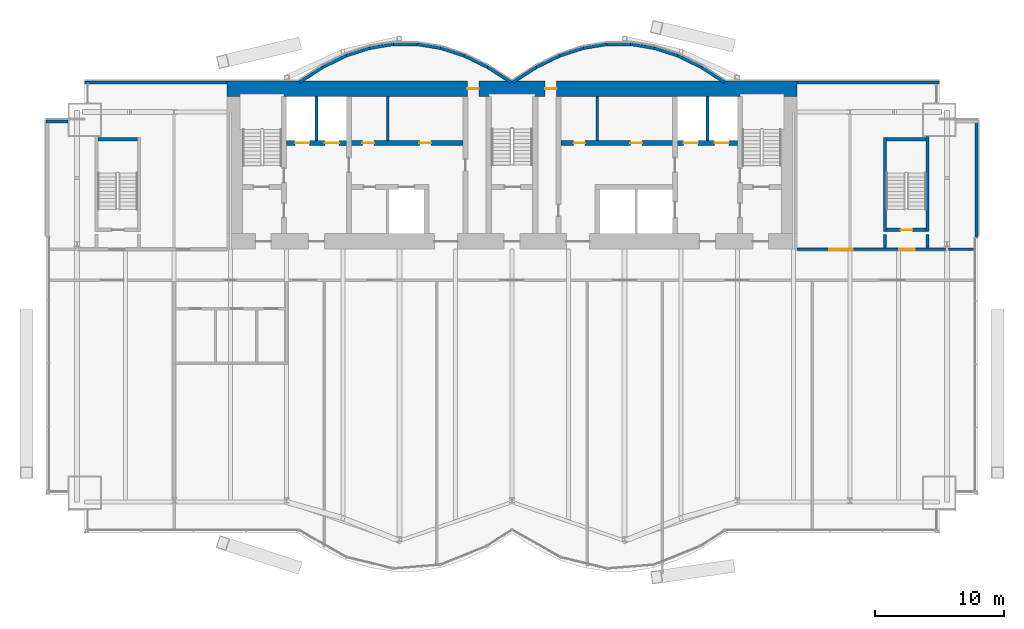
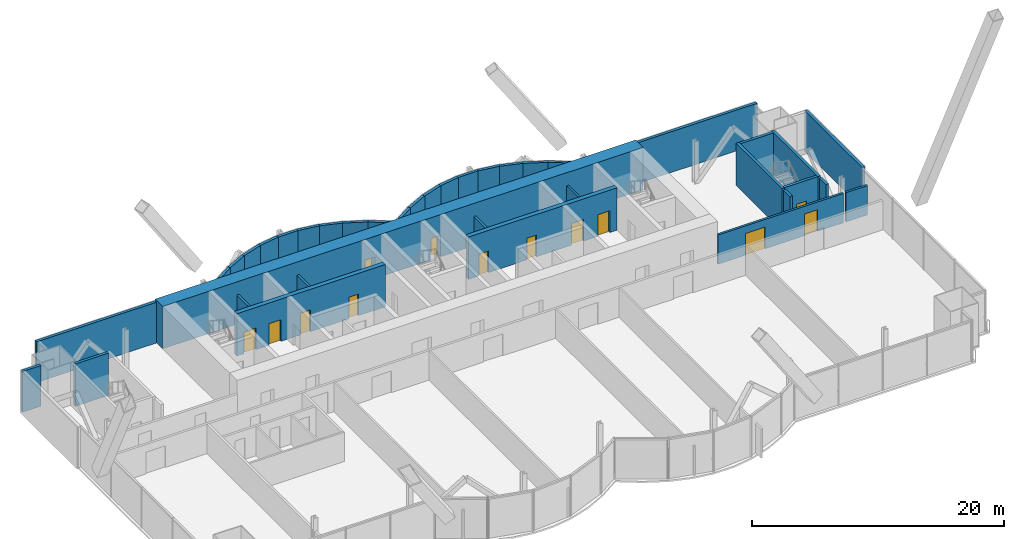
# One storey, part 20 of 24: 38 walls, 13 doors, 13 openings.
"""IFC4 building model written with IfcOpenShell, lengths in metres."""

from ifc_helpers import new_model, si_unit, direction, frame, frame_2d, origin, place, context, subcontext, project, spatial, rectangle, extrude, material, layer, layer_set, layer_usage, type_object, element, fill, save


model = new_model("IFC4")

# Units and contexts
model_context = context("Model", 3, precision=1e-05, world=origin(), true_north=direction((0.0, 1.0)))
body_context = subcontext(model_context, "Body", "Model", "MODEL_VIEW")
ifc_project = project(units=[si_unit("LENGTHUNIT", "METRE"), si_unit("AREAUNIT", "SQUARE_METRE"), si_unit("VOLUMEUNIT", "CUBIC_METRE"), si_unit("PLANEANGLEUNIT", "RADIAN"), si_unit("MASSUNIT", "GRAM", prefix="KILO")], contexts=[model_context])

# Site, building, storey
site_placement = place(None, origin())
site = spatial("IfcSite", under=ifc_project, at=site_placement, CompositionType="ELEMENT")
building_placement = place(site_placement, origin())
building = spatial("IfcBuilding", under=site, at=building_placement, Name="Bicima Exchange Tower", CompositionType="ELEMENT")
storey_placement = place(building_placement, frame((0.0, 0.0, 160.89990234375)))
storey = spatial("IfcBuildingStorey", under=building, at=storey_placement, Name="L35", CompositionType="ELEMENT", Elevation=160.89990234375)

# Walls
ifc_material_1 = material(Name="Gypsum board partition")
ifc_layer_1 = layer(ifc_material_1, 0.199951171875)
ifc_layer_set_1 = layer_set([ifc_layer_1], Name="Gypsum board partition")
wall_type_1 = type_object("IfcWallType", Name="Fire-rated gypsum partition 200 EI120", PredefinedType="PARTITIONING", material=ifc_layer_set_1)
for number, where, z_axis, x_axis, name in (
    (1, (-15.10009765625, -4.60009765625, 0.0), (0.0, 0.0, 1.0), (0.0, 1.0, 0.0), "partition wall 9"),
    (2, (15.10009765625, -4.60009765625, 0.0), (0.0, 0.0, 1.0), (0.0, 1.0, 0.0), "partition wall 22"),
):
    element("IfcWall", number, at=place(storey_placement, frame(where, z_axis=z_axis, x_axis=x_axis)), inside=storey, type_object=wall_type_1, Name=name, PredefinedType="PARTITIONING", context=body_context, shape_type="SweptSolid", body=[
        extrude(rectangle(XDim=3.400146484375, YDim=0.199951171875, at=frame_2d((1.7001953125, 0.0))), origin(), (0.0, 0.0, 1.0), 2.840576171875),
    ])

# Wall, openings, doors
ifc_layer_2 = layer(ifc_material_1, 0.199951171875)
ifc_layer_set_2 = layer_set([ifc_layer_2], Name="Gypsum board partition")
wall_type_2 = type_object("IfcWallType", Name="Fire-rated gypsum partition 200 EI60", PredefinedType="PARTITIONING", material=ifc_layer_set_2)
wall_1_placement = place(storey_placement, frame((22.0, -13.0, 0.0), z_axis=(0.0, 0.0, 1.0), x_axis=(1.0, 0.0, 0.0)))
wall_1 = element("IfcWall", 3, at=wall_1_placement, inside=storey, type_object=wall_type_2, Name="partition wall 6", PredefinedType="PARTITIONING", context=body_context, shape_type="SweptSolid", body=[
    extrude(rectangle(XDim=11.47998046875, YDim=0.199951171875, at=frame_2d((5.739990234375, 0.0))), origin(), (0.0, 0.0, 1.0), 2.840576171875),
])
opening_1_placement = place(wall_1_placement, frame((7.89990234375, 0.0, 0.0)))
opening_1 = element("IfcOpeningElement", 4, at=opening_1_placement, cuts=wall_1, Name="Opening L35-003", PredefinedType="OPENING", context=body_context, shape_type="SweptSolid", body=[
    extrude(rectangle(XDim=1.199951171875, YDim=2.10009765625, at=frame_2d((0.60009765625, 1.050048828125))), frame((0.0, 0.11181640625, 0.0), z_axis=(0.0, -1.0, 0.0), x_axis=(1.0, 0.0, 0.0)), (0.0, 0.0, 1.0), 0.223876953125),
])
opening_2_placement = place(wall_1_placement, frame((2.5, 0.0, 0.0)))
opening_2 = element("IfcOpeningElement", 5, at=opening_2_placement, cuts=wall_1, Name="Opening L35-006", PredefinedType="OPENING", context=body_context, shape_type="SweptSolid", body=[
    extrude(rectangle(XDim=1.800048828125, YDim=2.10009765625, at=frame_2d((0.89990234375, 1.050048828125))), frame((0.0, 0.11181640625, 0.0), z_axis=(0.0, -1.0, 0.0), x_axis=(1.0, 0.0, 0.0)), (0.0, 0.0, 1.0), 0.223876953125),
])
ifc_material_2 = material(Name="Steel fire door leaf", Category="steel")
door_type_1 = type_object("IfcDoorType", Name="Door 1200 swing FD30S", OperationType="SINGLE_SWING_LEFT", PredefinedType="DOOR", material=ifc_material_2)
door_1_placement = place(opening_1_placement, origin())
door_1 = element("IfcDoor", 6, at=door_1_placement, inside=storey, type_object=door_type_1, Name="Door", OperationType="SINGLE_SWING_RIGHT", OverallHeight=2.10009765625, OverallWidth=1.199951171875, PredefinedType="DOOR", context=body_context, shape_type="SweptSolid", body=[
    extrude(rectangle(XDim=1.199951171875, YDim=2.10009765625, at=frame_2d((0.60009765625, 1.050048828125))), frame((0.0, 0.02490234375, 0.0), z_axis=(0.0, -1.0, 0.0), x_axis=(1.0, 0.0, 0.0)), (0.0, 0.0, 1.0), 0.050048828125),
])
fill(opening_1, door_1)
door_type_2 = type_object("IfcDoorType", Name="Door 1800 double swing FD30S", OperationType="DOUBLE_DOOR_SINGLE_SWING", PredefinedType="DOOR", material=ifc_material_2)
door_2_placement = place(opening_2_placement, origin())
door_2 = element("IfcDoor", 7, at=door_2_placement, inside=storey, type_object=door_type_2, Name="Door", OperationType="SINGLE_SWING_LEFT", OverallHeight=2.10009765625, OverallWidth=1.800048828125, PredefinedType="DOOR", context=body_context, shape_type="SweptSolid", body=[
    extrude(rectangle(XDim=1.800048828125, YDim=2.10009765625, at=frame_2d((0.89990234375, 1.050048828125))), frame((0.0, 0.02490234375, 0.0), z_axis=(0.0, -1.0, 0.0), x_axis=(1.0, 0.0, 0.0)), (0.0, 0.0, 1.0), 0.050048828125),
])
fill(opening_2, door_2)

# Walls
wall_2_placement = place(storey_placement, frame((33.719970703125, -13.0, 0.0), z_axis=(0.0, 0.0, 1.0), x_axis=(1.0, 0.0, 0.0)))
element("IfcWall", 8, at=wall_2_placement, inside=storey, type_object=wall_type_2, Name="partition wall 7", PredefinedType="PARTITIONING", context=body_context, shape_type="SweptSolid", body=[
    extrude(rectangle(XDim=1.9599609375, YDim=0.199951171875, at=frame_2d((0.97998046875, 0.0))), origin(), (0.0, 0.0, 1.0), 2.840576171875),
])
for number, where, z_axis, x_axis, name in (
    (9, (-9.60009765625, -4.60009765625, 0.0), (0.0, 0.0, 1.0), (0.0, 1.0, 0.0), "partition wall 12"),
    (10, (6.60009765625, -4.60009765625, 0.0), (0.0, 0.0, 1.0), (0.0, 1.0, 0.0), "partition wall 19"),
):
    element("IfcWall", number, at=place(storey_placement, frame(where, z_axis=z_axis, x_axis=x_axis)), inside=storey, type_object=wall_type_2, Name=name, PredefinedType="PARTITIONING", context=body_context, shape_type="SweptSolid", body=[
        extrude(rectangle(XDim=3.400146484375, YDim=0.199951171875, at=frame_2d((1.7001953125, 0.0))), origin(), (0.0, 0.0, 1.0), 2.840576171875),
    ])

# Wall, openings, doors
ifc_material_3 = material(Name="Concrete C50/60", Category="concrete")
ifc_layer_3 = layer(ifc_material_3, 1.199951171875)
ifc_layer_set_3 = layer_set([ifc_layer_3], Name="Concrete C50/60")
wall_type_3 = type_object("IfcWallType", Name="RC core wall 1200 C50/60", PredefinedType="SHEAR", material=ifc_layer_set_3)
wall_3_placement = place(storey_placement, frame((-22.0, -0.60009765625, 0.0), z_axis=(0.0, 0.0, 1.0), x_axis=(1.0, 0.0, 0.0)))
wall_3 = element("IfcWall", 11, at=wall_3_placement, inside=storey, type_object=wall_type_3, Name="Core wall north", PredefinedType="SHEAR", context=body_context, shape_type="SweptSolid", body=[
    extrude(rectangle(XDim=44.0, YDim=1.199951171875, at=frame_2d((22.0, 0.0))), origin(), (0.0, 0.0, 1.0), 4.10009765625),
])
opening_3_placement = place(wall_3_placement, frame((18.550048828125, 0.0, 0.0)))
opening_3 = element("IfcOpeningElement", 12, at=opening_3_placement, cuts=wall_3, Name="Opening L35-C17", PredefinedType="OPENING", context=body_context, shape_type="SweptSolid", body=[
    extrude(rectangle(XDim=0.89990234375, YDim=2.10009765625, at=frame_2d((0.449951171875, 1.050048828125))), frame((0.0, 0.61181640625, 0.0), z_axis=(0.0, -1.0, 0.0), x_axis=(1.0, 0.0, 0.0)), (0.0, 0.0, 1.0), 1.223876953125),
])
opening_4_placement = place(wall_3_placement, frame((24.550048828125, 0.0, 0.0)))
opening_4 = element("IfcOpeningElement", 13, at=opening_4_placement, cuts=wall_3, Name="Opening L35-C18", PredefinedType="OPENING", context=body_context, shape_type="SweptSolid", body=[
    extrude(rectangle(XDim=0.89990234375, YDim=2.10009765625, at=frame_2d((0.449951171875, 1.050048828125))), frame((0.0, 0.61181640625, 0.0), z_axis=(0.0, -1.0, 0.0), x_axis=(1.0, 0.0, 0.0)), (0.0, 0.0, 1.0), 1.223876953125),
])
door_type_3 = type_object("IfcDoorType", Name="Door 900 swing FD30S", OperationType="SINGLE_SWING_LEFT", PredefinedType="DOOR", material=ifc_material_2)
door_3_placement = place(opening_3_placement, origin())
door_3 = element("IfcDoor", 14, at=door_3_placement, inside=storey, type_object=door_type_3, Name="Core door", OperationType="SINGLE_SWING_LEFT", OverallHeight=2.10009765625, OverallWidth=0.89990234375, PredefinedType="DOOR", context=body_context, shape_type="SweptSolid", body=[
    extrude(rectangle(XDim=0.89990234375, YDim=2.10009765625, at=frame_2d((0.449951171875, 1.050048828125))), frame((0.0, 0.02490234375, 0.0), z_axis=(0.0, -1.0, 0.0), x_axis=(1.0, 0.0, 0.0)), (0.0, 0.0, 1.0), 0.050048828125),
])
fill(opening_3, door_3)
door_4_placement = place(opening_4_placement, origin())
door_4 = element("IfcDoor", 15, at=door_4_placement, inside=storey, type_object=door_type_3, Name="Core door", OperationType="SINGLE_SWING_LEFT", OverallHeight=2.10009765625, OverallWidth=0.89990234375, PredefinedType="DOOR", context=body_context, shape_type="SweptSolid", body=[
    extrude(rectangle(XDim=0.89990234375, YDim=2.10009765625, at=frame_2d((0.449951171875, 1.050048828125))), frame((0.0, 0.02490234375, 0.0), z_axis=(0.0, -1.0, 0.0), x_axis=(1.0, 0.0, 0.0)), (0.0, 0.0, 1.0), 0.050048828125),
])
fill(opening_4, door_4)

# Walls
ifc_layer_4 = layer(ifc_material_3, 0.25)
ifc_layer_set_4 = layer_set([ifc_layer_4], Name="Concrete C50/60")
wall_type_4 = type_object("IfcWallType", Name="RC core wall 250 C50/60", PredefinedType="SHEAR", material=ifc_layer_set_4)
for number, where, z_axis, x_axis, name in (
    (16, (28.800048828125, -12.89990234375, 0.0), (0.0, 0.0, 1.0), (0.0, 1.0, 0.0), "stair wall 25"),
    (17, (32.10009765625, -12.89990234375, 0.0), (0.0, 0.0, 1.0), (0.0, 1.0, 0.0), "stair wall 26"),
):
    element("IfcWall", number, at=place(storey_placement, frame(where, z_axis=z_axis, x_axis=x_axis)), inside=storey, type_object=wall_type_4, Name=name, PredefinedType="SHEAR", context=body_context, shape_type="SweptSolid", body=[
        extrude(rectangle(XDim=1.0498046875, YDim=0.25, at=frame_2d((0.52490234375, 0.0))), origin(), (0.0, 0.0, 1.0), 4.10009765625),
    ])

# Wall, openings, doors
ifc_layer_5 = layer(ifc_material_3, 0.39990234375)
ifc_layer_set_5 = layer_set([ifc_layer_5], Name="Concrete C50/60")
wall_type_5 = type_object("IfcWallType", Name="RC core wall 400 C50/60", PredefinedType="SHEAR", material=ifc_layer_set_5)
wall_4_placement = place(storey_placement, frame((-17.39990234375, -4.800048828125, 0.0), z_axis=(0.0, 0.0, 1.0), x_axis=(1.0, 0.0, 0.0)))
wall_4 = element("IfcWall", 18, at=wall_4_placement, inside=storey, type_object=wall_type_5, Name="shear wall 6", PredefinedType="SHEAR", context=body_context, shape_type="SweptSolid", body=[
    extrude(rectangle(XDim=13.599853515625, YDim=0.39990234375, at=frame_2d((6.7998046875, 0.0))), origin(), (0.0, 0.0, 1.0), 4.10009765625),
])
opening_5_placement = place(wall_4_placement, frame((0.64990234375, 0.0, 0.0)))
opening_5 = element("IfcOpeningElement", 19, at=opening_5_placement, cuts=wall_4, Name="Opening LD-FF1-L35", PredefinedType="OPENING", context=body_context, shape_type="SweptSolid", body=[
    extrude(rectangle(XDim=1.10009765625, YDim=2.10009765625, at=frame_2d((0.550048828125, 1.050048828125))), frame((0.0, 0.2119140625, 0.0), z_axis=(0.0, -1.0, 0.0), x_axis=(1.0, 0.0, 0.0)), (0.0, 0.0, 1.0), 0.423828125),
])
opening_6_placement = place(wall_4_placement, frame((2.949951171875, 0.0, 0.0)))
opening_6 = element("IfcOpeningElement", 20, at=opening_6_placement, cuts=wall_4, Name="Opening LD-FF3-L35", PredefinedType="OPENING", context=body_context, shape_type="SweptSolid", body=[
    extrude(rectangle(XDim=1.10009765625, YDim=2.10009765625, at=frame_2d((0.550048828125, 1.050048828125))), frame((0.0, 0.2119140625, 0.0), z_axis=(0.0, -1.0, 0.0), x_axis=(1.0, 0.0, 0.0)), (0.0, 0.0, 1.0), 0.423828125),
])
opening_7_placement = place(wall_4_placement, frame((5.85009765625, 0.0, 0.0)))
opening_7 = element("IfcOpeningElement", 21, at=opening_7_placement, cuts=wall_4, Name="Opening L35-C12", PredefinedType="OPENING", context=body_context, shape_type="SweptSolid", body=[
    extrude(rectangle(XDim=0.89990234375, YDim=2.10009765625, at=frame_2d((0.449951171875, 1.050048828125))), frame((0.0, 0.2119140625, 0.0), z_axis=(0.0, -1.0, 0.0), x_axis=(1.0, 0.0, 0.0)), (0.0, 0.0, 1.0), 0.423828125),
])
opening_8_placement = place(wall_4_placement, frame((10.25, 0.0, 0.0)))
opening_8 = element("IfcOpeningElement", 22, at=opening_8_placement, cuts=wall_4, Name="Opening L35-C13", PredefinedType="OPENING", context=body_context, shape_type="SweptSolid", body=[
    extrude(rectangle(XDim=0.89990234375, YDim=2.10009765625, at=frame_2d((0.449951171875, 1.050048828125))), frame((0.0, 0.2119140625, 0.0), z_axis=(0.0, -1.0, 0.0), x_axis=(1.0, 0.0, 0.0)), (0.0, 0.0, 1.0), 0.423828125),
])
door_5_placement = place(opening_7_placement, origin())
door_5 = element("IfcDoor", 23, at=door_5_placement, inside=storey, type_object=door_type_3, Name="Core door", OperationType="SINGLE_SWING_RIGHT", OverallHeight=2.10009765625, OverallWidth=0.89990234375, PredefinedType="DOOR", context=body_context, shape_type="SweptSolid", body=[
    extrude(rectangle(XDim=0.89990234375, YDim=2.10009765625, at=frame_2d((0.449951171875, 1.050048828125))), frame((0.0, 0.02490234375, 0.0), z_axis=(0.0, -1.0, 0.0), x_axis=(1.0, 0.0, 0.0)), (0.0, 0.0, 1.0), 0.050048828125),
])
fill(opening_7, door_5)
door_6_placement = place(opening_8_placement, origin())
door_6 = element("IfcDoor", 24, at=door_6_placement, inside=storey, type_object=door_type_3, Name="Core door", OperationType="SINGLE_SWING_LEFT", OverallHeight=2.10009765625, OverallWidth=0.89990234375, PredefinedType="DOOR", context=body_context, shape_type="SweptSolid", body=[
    extrude(rectangle(XDim=0.89990234375, YDim=2.10009765625, at=frame_2d((0.449951171875, 1.050048828125))), frame((0.0, 0.02490234375, 0.0), z_axis=(0.0, -1.0, 0.0), x_axis=(1.0, 0.0, 0.0)), (0.0, 0.0, 1.0), 0.050048828125),
])
fill(opening_8, door_6)
ifc_material_4 = material(Name="Stainless steel", Category="steel")
door_type_4 = type_object("IfcDoorType", Name="Lift landing door 1100 sliding", OperationType="DOUBLE_DOOR_SLIDING", PredefinedType="DOOR", material=ifc_material_4)
door_7_placement = place(opening_5_placement, origin())
door_7 = element("IfcDoor", 25, at=door_7_placement, inside=storey, type_object=door_type_4, Name="Lift landing door FF1", OperationType="DOUBLE_DOOR_SLIDING", OverallHeight=2.10009765625, OverallWidth=1.10009765625, PredefinedType="DOOR", context=body_context, shape_type="SweptSolid", body=[
    extrude(rectangle(XDim=1.10009765625, YDim=2.10009765625, at=frame_2d((0.550048828125, 1.050048828125))), frame((0.0, 0.02490234375, 0.0), z_axis=(0.0, -1.0, 0.0), x_axis=(1.0, 0.0, 0.0)), (0.0, 0.0, 1.0), 0.050048828125),
])
fill(opening_5, door_7)
door_8_placement = place(opening_6_placement, origin())
door_8 = element("IfcDoor", 26, at=door_8_placement, inside=storey, type_object=door_type_4, Name="Lift landing door FF3", OperationType="DOUBLE_DOOR_SLIDING", OverallHeight=2.10009765625, OverallWidth=1.10009765625, PredefinedType="DOOR", context=body_context, shape_type="SweptSolid", body=[
    extrude(rectangle(XDim=1.10009765625, YDim=2.10009765625, at=frame_2d((0.550048828125, 1.050048828125))), frame((0.0, 0.02490234375, 0.0), z_axis=(0.0, -1.0, 0.0), x_axis=(1.0, 0.0, 0.0)), (0.0, 0.0, 1.0), 0.050048828125),
])
fill(opening_6, door_8)

wall_5_placement = place(storey_placement, frame((3.800048828125, -4.800048828125, 0.0), z_axis=(0.0, 0.0, 1.0), x_axis=(1.0, 0.0, 0.0)))
wall_5 = element("IfcWall", 27, at=wall_5_placement, inside=storey, type_object=wall_type_5, Name="shear wall 7", PredefinedType="SHEAR", context=body_context, shape_type="SweptSolid", body=[
    extrude(rectangle(XDim=13.599853515625, YDim=0.39990234375, at=frame_2d((6.7998046875, 0.0))), origin(), (0.0, 0.0, 1.0), 4.10009765625),
])
opening_9_placement = place(wall_5_placement, frame((9.449951171875, 0.0, 0.0)))
opening_9 = element("IfcOpeningElement", 28, at=opening_9_placement, cuts=wall_5, Name="Opening LD-FF2-L35", PredefinedType="OPENING", context=body_context, shape_type="SweptSolid", body=[
    extrude(rectangle(XDim=1.10009765625, YDim=2.10009765625, at=frame_2d((0.550048828125, 1.050048828125))), frame((0.0, 0.2119140625, 0.0), z_axis=(0.0, -1.0, 0.0), x_axis=(1.0, 0.0, 0.0)), (0.0, 0.0, 1.0), 0.423828125),
])
opening_10_placement = place(wall_5_placement, frame((11.85009765625, 0.0, 0.0)))
opening_10 = element("IfcOpeningElement", 29, at=opening_10_placement, cuts=wall_5, Name="Opening LD-SV1-L35", PredefinedType="OPENING", context=body_context, shape_type="SweptSolid", body=[
    extrude(rectangle(XDim=1.10009765625, YDim=2.10009765625, at=frame_2d((0.550048828125, 1.050048828125))), frame((0.0, 0.2119140625, 0.0), z_axis=(0.0, -1.0, 0.0), x_axis=(1.0, 0.0, 0.0)), (0.0, 0.0, 1.0), 0.423828125),
])
opening_11_placement = place(wall_5_placement, frame((0.949951171875, 0.0, 0.0)))
opening_11 = element("IfcOpeningElement", 30, at=opening_11_placement, cuts=wall_5, Name="Opening L35-C14", PredefinedType="OPENING", context=body_context, shape_type="SweptSolid", body=[
    extrude(rectangle(XDim=0.89990234375, YDim=2.10009765625, at=frame_2d((0.449951171875, 1.050048828125))), frame((0.0, 0.2119140625, 0.0), z_axis=(0.0, -1.0, 0.0), x_axis=(1.0, 0.0, 0.0)), (0.0, 0.0, 1.0), 0.423828125),
])
opening_12_placement = place(wall_5_placement, frame((5.35009765625, 0.0, 0.0)))
opening_12 = element("IfcOpeningElement", 31, at=opening_12_placement, cuts=wall_5, Name="Opening L35-C15", PredefinedType="OPENING", context=body_context, shape_type="SweptSolid", body=[
    extrude(rectangle(XDim=0.89990234375, YDim=2.10009765625, at=frame_2d((0.449951171875, 1.050048828125))), frame((0.0, 0.2119140625, 0.0), z_axis=(0.0, -1.0, 0.0), x_axis=(1.0, 0.0, 0.0)), (0.0, 0.0, 1.0), 0.423828125),
])
door_9_placement = place(opening_11_placement, origin())
door_9 = element("IfcDoor", 32, at=door_9_placement, inside=storey, type_object=door_type_3, Name="Core door", OperationType="SINGLE_SWING_RIGHT", OverallHeight=2.10009765625, OverallWidth=0.89990234375, PredefinedType="DOOR", context=body_context, shape_type="SweptSolid", body=[
    extrude(rectangle(XDim=0.89990234375, YDim=2.10009765625, at=frame_2d((0.449951171875, 1.050048828125))), frame((0.0, 0.02490234375, 0.0), z_axis=(0.0, -1.0, 0.0), x_axis=(1.0, 0.0, 0.0)), (0.0, 0.0, 1.0), 0.050048828125),
])
fill(opening_11, door_9)
door_10_placement = place(opening_12_placement, origin())
door_10 = element("IfcDoor", 33, at=door_10_placement, inside=storey, type_object=door_type_3, Name="Core door", OperationType="SINGLE_SWING_LEFT", OverallHeight=2.10009765625, OverallWidth=0.89990234375, PredefinedType="DOOR", context=body_context, shape_type="SweptSolid", body=[
    extrude(rectangle(XDim=0.89990234375, YDim=2.10009765625, at=frame_2d((0.449951171875, 1.050048828125))), frame((0.0, 0.02490234375, 0.0), z_axis=(0.0, -1.0, 0.0), x_axis=(1.0, 0.0, 0.0)), (0.0, 0.0, 1.0), 0.050048828125),
])
fill(opening_12, door_10)
door_11_placement = place(opening_9_placement, origin())
door_11 = element("IfcDoor", 34, at=door_11_placement, inside=storey, type_object=door_type_4, Name="Lift landing door FF2", OperationType="DOUBLE_DOOR_SLIDING", OverallHeight=2.10009765625, OverallWidth=1.10009765625, PredefinedType="DOOR", context=body_context, shape_type="SweptSolid", body=[
    extrude(rectangle(XDim=1.10009765625, YDim=2.10009765625, at=frame_2d((0.550048828125, 1.050048828125))), frame((0.0, 0.02490234375, 0.0), z_axis=(0.0, -1.0, 0.0), x_axis=(1.0, 0.0, 0.0)), (0.0, 0.0, 1.0), 0.050048828125),
])
fill(opening_9, door_11)
door_12_placement = place(opening_10_placement, origin())
door_12 = element("IfcDoor", 35, at=door_12_placement, inside=storey, type_object=door_type_4, Name="Lift landing door SV1", OperationType="DOUBLE_DOOR_SLIDING", OverallHeight=2.10009765625, OverallWidth=1.10009765625, PredefinedType="DOOR", context=body_context, shape_type="SweptSolid", body=[
    extrude(rectangle(XDim=1.10009765625, YDim=2.10009765625, at=frame_2d((0.550048828125, 1.050048828125))), frame((0.0, 0.02490234375, 0.0), z_axis=(0.0, -1.0, 0.0), x_axis=(1.0, 0.0, 0.0)), (0.0, 0.0, 1.0), 0.050048828125),
])
fill(opening_10, door_12)

# Walls
ifc_layer_6 = layer(ifc_material_3, 0.25)
ifc_layer_set_6 = layer_set([ifc_layer_6], Name="Concrete C50/60")
wall_type_6 = type_object("IfcWallType", Name="RC stair enclosure wall 250 C50/60", PredefinedType="SHEAR", material=ifc_layer_set_6)
wall_6_placement = place(storey_placement, frame((-31.97509765625, -4.5, 0.0), z_axis=(0.0, 0.0, 1.0), x_axis=(1.0, 0.0, 0.0)))
element("IfcWall", 36, at=wall_6_placement, inside=storey, type_object=wall_type_6, Name="West end exit stair wall N", PredefinedType="SHEAR", context=body_context, shape_type="SweptSolid", body=[
    extrude(rectangle(XDim=3.050048828125, YDim=0.25, at=frame_2d((1.52490234375, 0.0))), origin(), (0.0, 0.0, 1.0), 4.10009765625),
])
wall_7_placement = place(storey_placement, frame((28.800048828125, -11.625, 0.0), z_axis=(0.0, 0.0, 1.0), x_axis=(0.0, 1.0, 0.0)))
element("IfcWall", 37, at=wall_7_placement, inside=storey, type_object=wall_type_6, Name="East end exit stair wall W", PredefinedType="SHEAR", context=body_context, shape_type="SweptSolid", body=[
    extrude(rectangle(XDim=7.25, YDim=0.25, at=frame_2d((3.625, 0.0))), origin(), (0.0, 0.0, 1.0), 4.10009765625),
])
wall_8_placement = place(storey_placement, frame((32.10009765625, -11.625, 0.0), z_axis=(0.0, 0.0, 1.0), x_axis=(0.0, 1.0, 0.0)))
element("IfcWall", 38, at=wall_8_placement, inside=storey, type_object=wall_type_6, Name="East end exit stair wall E", PredefinedType="SHEAR", context=body_context, shape_type="SweptSolid", body=[
    extrude(rectangle(XDim=7.324951171875, YDim=0.25, at=frame_2d((3.66259765625, 0.0))), origin(), (0.0, 0.0, 1.0), 4.10009765625),
])

# Wall, opening, door
wall_9_placement = place(storey_placement, frame((28.925048828125, -11.5, 0.0), z_axis=(0.0, 0.0, 1.0), x_axis=(1.0, 0.0, 0.0)))
wall_9 = element("IfcWall", 39, at=wall_9_placement, inside=storey, type_object=wall_type_6, Name="East end exit stair wall S", PredefinedType="SHEAR", context=body_context, shape_type="SweptSolid", body=[
    extrude(rectangle(XDim=3.050048828125, YDim=0.25, at=frame_2d((1.52490234375, 0.0))), origin(), (0.0, 0.0, 1.0), 4.10009765625),
])
opening_13_placement = place(wall_9_placement, frame((1.10009765625, 0.0, 0.0)))
opening_13 = element("IfcOpeningElement", 40, at=opening_13_placement, cuts=wall_9, Name="Opening L35-004", PredefinedType="OPENING", context=body_context, shape_type="SweptSolid", body=[
    extrude(rectangle(XDim=0.89990234375, YDim=2.10009765625, at=frame_2d((0.449951171875, 1.050048828125))), frame((0.0, 0.136962890625, 0.0), z_axis=(0.0, -1.0, 0.0), x_axis=(1.0, 0.0, 0.0)), (0.0, 0.0, 1.0), 0.27392578125),
])
door_type_5 = type_object("IfcDoorType", Name="Door 900 swing FD60S", OperationType="SINGLE_SWING_LEFT", PredefinedType="DOOR", material=ifc_material_2)
door_13_placement = place(opening_13_placement, origin())
door_13 = element("IfcDoor", 41, at=door_13_placement, inside=storey, type_object=door_type_5, Name="Door", OperationType="SINGLE_SWING_LEFT", OverallHeight=2.10009765625, OverallWidth=0.89990234375, PredefinedType="DOOR", context=body_context, shape_type="SweptSolid", body=[
    extrude(rectangle(XDim=0.89990234375, YDim=2.10009765625, at=frame_2d((0.449951171875, 1.050048828125))), frame((0.0, 0.02490234375, 0.0), z_axis=(0.0, -1.0, 0.0), x_axis=(1.0, 0.0, 0.0)), (0.0, 0.0, 1.0), 0.050048828125),
])
fill(opening_13, door_13)

# Walls
wall_10_placement = place(storey_placement, frame((28.925048828125, -4.5, 0.0), z_axis=(0.0, 0.0, 1.0), x_axis=(1.0, 0.0, 0.0)))
element("IfcWall", 42, at=wall_10_placement, inside=storey, type_object=wall_type_6, Name="East end exit stair wall N", PredefinedType="SHEAR", context=body_context, shape_type="SweptSolid", body=[
    extrude(rectangle(XDim=3.050048828125, YDim=0.25, at=frame_2d((1.52490234375, 0.0))), origin(), (0.0, 0.0, 1.0), 4.10009765625),
])
ifc_material_5 = material(Name="Concrete C40/50", Category="concrete")
ifc_layer_7 = layer(ifc_material_5, 0.25)
ifc_layer_set_7 = layer_set([ifc_layer_7], Name="Concrete C40/50")
ifc_layer_usage = layer_usage(ifc_layer_set_7, "AXIS2", "POSITIVE", -0.125)
wall_type_7 = type_object("IfcWallType", Name="Rear backup wall 250", PredefinedType="STANDARD", material=ifc_layer_set_7)
wall_11_placement = place(storey_placement, frame((33.0, -0.125, 0.0), z_axis=(0.0, 0.0, 1.0), x_axis=(-1.0, 0.0, 0.0)))
element("IfcWall", 43, at=wall_11_placement, inside=storey, type_object=wall_type_7, material=ifc_layer_usage, Name="Rear backup wall L35 1", PredefinedType="STANDARD", context=body_context, shape_type="SweptSolid", body=[
    extrude(rectangle(XDim=11.0, YDim=0.25, at=frame_2d((5.5, 0.0))), origin(), (0.0, 0.0, 1.0), 3.9501953125),
])
wall_12_placement = place(storey_placement, frame((16.43212890625, -0.10498046875, 0.0), z_axis=(0.0, 0.0, 1.0), x_axis=(-0.83981312244, 0.542875602121, 0.0)))
element("IfcWall", 44, at=wall_12_placement, inside=storey, type_object=wall_type_7, material=ifc_layer_usage, Name="Rear backup wall L35 2", PredefinedType="STANDARD", context=body_context, shape_type="SweptSolid", body=[
    extrude(rectangle(XDim=2.182861328125, YDim=0.25, at=frame_2d((1.09130859375, 0.0))), origin(), (0.0, 0.0, 1.0), 3.9501953125),
])
wall_13_placement = place(storey_placement, frame((14.6123046875, 1.07275390625, 0.0), z_axis=(0.0, 0.0, 1.0), x_axis=(-0.89982408427, 0.436252928206, 0.0)))
element("IfcWall", 45, at=wall_13_placement, inside=storey, type_object=wall_type_7, material=ifc_layer_usage, Name="Rear backup wall L35 3", PredefinedType="STANDARD", context=body_context, shape_type="SweptSolid", body=[
    extrude(rectangle(XDim=2.03759765625, YDim=0.25, at=frame_2d((1.018798828125, 0.0))), origin(), (0.0, 0.0, 1.0), 3.9501953125),
])
wall_14_placement = place(storey_placement, frame((12.794921875, 1.955078125, 0.0), z_axis=(0.0, 0.0, 1.0), x_axis=(-0.951495806175, 0.307661714928, 0.0)))
element("IfcWall", 46, at=wall_14_placement, inside=storey, type_object=wall_type_7, material=ifc_layer_usage, Name="Rear backup wall L35 4", PredefinedType="STANDARD", context=body_context, shape_type="SweptSolid", body=[
    extrude(rectangle(XDim=1.9267578125, YDim=0.25, at=frame_2d((0.96337890625, 0.0))), origin(), (0.0, 0.0, 1.0), 3.9501953125),
])
wall_15_placement = place(storey_placement, frame((10.97998046875, 2.543212890625, 0.0), z_axis=(0.0, 0.0, 1.0), x_axis=(-0.987181718931, 0.159600293885, 0.0)))
element("IfcWall", 47, at=wall_15_placement, inside=storey, type_object=wall_type_7, material=ifc_layer_usage, Name="Rear backup wall L35 5", PredefinedType="STANDARD", context=body_context, shape_type="SweptSolid", body=[
    extrude(rectangle(XDim=1.857177734375, YDim=0.25, at=frame_2d((0.9287109375, 0.0))), origin(), (0.0, 0.0, 1.0), 3.9501953125),
])
wall_16_placement = place(storey_placement, frame((9.166748046875, 2.837890625, 0.0), z_axis=(0.0, 0.0, 1.0), x_axis=(-1.0, 0.0, 0.0)))
element("IfcWall", 48, at=wall_16_placement, inside=storey, type_object=wall_type_7, material=ifc_layer_usage, Name="Rear backup wall L35 6", PredefinedType="STANDARD", context=body_context, shape_type="SweptSolid", body=[
    extrude(rectangle(XDim=1.83349609375, YDim=0.25, at=frame_2d((0.916748046875, 0.0))), origin(), (0.0, 0.0, 1.0), 3.9501953125),
])
wall_17_placement = place(storey_placement, frame((7.353271484375, 2.839599609375, 0.0), z_axis=(0.0, 0.0, 1.0), x_axis=(-0.987181718931, -0.159600293885, 0.0)))
element("IfcWall", 49, at=wall_17_placement, inside=storey, type_object=wall_type_7, material=ifc_layer_usage, Name="Rear backup wall L35 7", PredefinedType="STANDARD", context=body_context, shape_type="SweptSolid", body=[
    extrude(rectangle(XDim=1.857177734375, YDim=0.25, at=frame_2d((0.9287109375, 0.0))), origin(), (0.0, 0.0, 1.0), 3.9501953125),
])
wall_18_placement = place(storey_placement, frame((5.538330078125, 2.5478515625, 0.0), z_axis=(0.0, 0.0, 1.0), x_axis=(-0.951495806175, -0.307661714928, 0.0)))
element("IfcWall", 50, at=wall_18_placement, inside=storey, type_object=wall_type_7, material=ifc_layer_usage, Name="Rear backup wall L35 8", PredefinedType="STANDARD", context=body_context, shape_type="SweptSolid", body=[
    extrude(rectangle(XDim=1.9267578125, YDim=0.25, at=frame_2d((0.96337890625, 0.0))), origin(), (0.0, 0.0, 1.0), 3.9501953125),
])
wall_19_placement = place(storey_placement, frame((3.72119140625, 1.961669921875, 0.0), z_axis=(0.0, 0.0, 1.0), x_axis=(-0.89982408427, -0.436252928206, 0.0)))
element("IfcWall", 51, at=wall_19_placement, inside=storey, type_object=wall_type_7, material=ifc_layer_usage, Name="Rear backup wall L35 9", PredefinedType="STANDARD", context=body_context, shape_type="SweptSolid", body=[
    extrude(rectangle(XDim=2.03759765625, YDim=0.25, at=frame_2d((1.018798828125, 0.0))), origin(), (0.0, 0.0, 1.0), 3.9501953125),
])
for number, where, z_axis, x_axis, name in (
    (52, (1.901123046875, 1.080078125, 0.0), (0.0, 0.0, 1.0), (-0.83981312244, -0.542875602121, 0.0), "Rear backup wall L35 10"),
    (53, (-0.06787109375, -0.10498046875, 0.0), (0.0, 0.0, 1.0), (-0.83981312244, 0.542875602121, 0.0), "Rear backup wall L35 11"),
):
    element("IfcWall", number, at=place(storey_placement, frame(where, z_axis=z_axis, x_axis=x_axis)), inside=storey, type_object=wall_type_7, material=ifc_layer_usage, Name=name, PredefinedType="STANDARD", context=body_context, shape_type="SweptSolid", body=[
        extrude(rectangle(XDim=2.182861328125, YDim=0.25, at=frame_2d((1.09130859375, 0.0))), origin(), (0.0, 0.0, 1.0), 3.9501953125),
    ])
wall_20_placement = place(storey_placement, frame((-1.8876953125, 1.07275390625, 0.0), z_axis=(0.0, 0.0, 1.0), x_axis=(-0.89982408427, 0.436252928206, 0.0)))
element("IfcWall", 54, at=wall_20_placement, inside=storey, type_object=wall_type_7, material=ifc_layer_usage, Name="Rear backup wall L35 12", PredefinedType="STANDARD", context=body_context, shape_type="SweptSolid", body=[
    extrude(rectangle(XDim=2.03759765625, YDim=0.25, at=frame_2d((1.018798828125, 0.0))), origin(), (0.0, 0.0, 1.0), 3.9501953125),
])
wall_21_placement = place(storey_placement, frame((-3.705078125, 1.955078125, 0.0), z_axis=(0.0, 0.0, 1.0), x_axis=(-0.951495806175, 0.307661714928, 0.0)))
element("IfcWall", 55, at=wall_21_placement, inside=storey, type_object=wall_type_7, material=ifc_layer_usage, Name="Rear backup wall L35 13", PredefinedType="STANDARD", context=body_context, shape_type="SweptSolid", body=[
    extrude(rectangle(XDim=1.9267578125, YDim=0.25, at=frame_2d((0.96337890625, 0.0))), origin(), (0.0, 0.0, 1.0), 3.9501953125),
])
wall_22_placement = place(storey_placement, frame((-5.52001953125, 2.543212890625, 0.0), z_axis=(0.0, 0.0, 1.0), x_axis=(-0.987181718931, 0.159600293885, 0.0)))
element("IfcWall", 56, at=wall_22_placement, inside=storey, type_object=wall_type_7, material=ifc_layer_usage, Name="Rear backup wall L35 14", PredefinedType="STANDARD", context=body_context, shape_type="SweptSolid", body=[
    extrude(rectangle(XDim=1.857177734375, YDim=0.25, at=frame_2d((0.9287109375, 0.0))), origin(), (0.0, 0.0, 1.0), 3.9501953125),
])
wall_23_placement = place(storey_placement, frame((-7.333251953125, 2.837890625, 0.0), z_axis=(0.0, 0.0, 1.0), x_axis=(-1.0, 0.0, 0.0)))
element("IfcWall", 57, at=wall_23_placement, inside=storey, type_object=wall_type_7, material=ifc_layer_usage, Name="Rear backup wall L35 15", PredefinedType="STANDARD", context=body_context, shape_type="SweptSolid", body=[
    extrude(rectangle(XDim=1.83349609375, YDim=0.25, at=frame_2d((0.916748046875, 0.0))), origin(), (0.0, 0.0, 1.0), 3.9501953125),
])
wall_24_placement = place(storey_placement, frame((-9.146728515625, 2.839599609375, 0.0), z_axis=(0.0, 0.0, 1.0), x_axis=(-0.987181718931, -0.159600293885, 0.0)))
element("IfcWall", 58, at=wall_24_placement, inside=storey, type_object=wall_type_7, material=ifc_layer_usage, Name="Rear backup wall L35 16", PredefinedType="STANDARD", context=body_context, shape_type="SweptSolid", body=[
    extrude(rectangle(XDim=1.857177734375, YDim=0.25, at=frame_2d((0.9287109375, 0.0))), origin(), (0.0, 0.0, 1.0), 3.9501953125),
])
wall_25_placement = place(storey_placement, frame((-10.961669921875, 2.5478515625, 0.0), z_axis=(0.0, 0.0, 1.0), x_axis=(-0.951495806175, -0.307661714928, 0.0)))
element("IfcWall", 59, at=wall_25_placement, inside=storey, type_object=wall_type_7, material=ifc_layer_usage, Name="Rear backup wall L35 17", PredefinedType="STANDARD", context=body_context, shape_type="SweptSolid", body=[
    extrude(rectangle(XDim=1.9267578125, YDim=0.25, at=frame_2d((0.96337890625, 0.0))), origin(), (0.0, 0.0, 1.0), 3.9501953125),
])
wall_26_placement = place(storey_placement, frame((-12.77880859375, 1.961669921875, 0.0), z_axis=(0.0, 0.0, 1.0), x_axis=(-0.89982408427, -0.436252928206, 0.0)))
element("IfcWall", 60, at=wall_26_placement, inside=storey, type_object=wall_type_7, material=ifc_layer_usage, Name="Rear backup wall L35 18", PredefinedType="STANDARD", context=body_context, shape_type="SweptSolid", body=[
    extrude(rectangle(XDim=2.03759765625, YDim=0.25, at=frame_2d((1.018798828125, 0.0))), origin(), (0.0, 0.0, 1.0), 3.9501953125),
])
wall_27_placement = place(storey_placement, frame((-14.598876953125, 1.080078125, 0.0), z_axis=(0.0, 0.0, 1.0), x_axis=(-0.83981312244, -0.542875602121, 0.0)))
element("IfcWall", 61, at=wall_27_placement, inside=storey, type_object=wall_type_7, material=ifc_layer_usage, Name="Rear backup wall L35 19", PredefinedType="STANDARD", context=body_context, shape_type="SweptSolid", body=[
    extrude(rectangle(XDim=2.182861328125, YDim=0.25, at=frame_2d((1.09130859375, 0.0))), origin(), (0.0, 0.0, 1.0), 3.9501953125),
])
wall_28_placement = place(storey_placement, frame((-22.0, -0.125, 0.0), z_axis=(0.0, 0.0, 1.0), x_axis=(-1.0, 0.0, 0.0)))
element("IfcWall", 62, at=wall_28_placement, inside=storey, type_object=wall_type_7, material=ifc_layer_usage, Name="Rear backup wall L35 20", PredefinedType="STANDARD", context=body_context, shape_type="SweptSolid", body=[
    extrude(rectangle(XDim=11.0, YDim=0.25, at=frame_2d((5.5, 0.0))), origin(), (0.0, 0.0, 1.0), 3.9501953125),
])
wall_29_placement = place(storey_placement, frame((-34.300048828125, -3.125, 0.0), z_axis=(0.0, 0.0, 1.0), x_axis=(-1.0, 0.0, 0.0)))
element("IfcWall", 63, at=wall_29_placement, inside=storey, type_object=wall_type_7, material=ifc_layer_usage, Name="Rear backup wall L35 22", PredefinedType="STANDARD", context=body_context, shape_type="SweptSolid", body=[
    extrude(rectangle(XDim=1.699951171875, YDim=0.25, at=frame_2d((0.85009765625, 0.0))), origin(), (0.0, 0.0, 1.0), 3.9501953125),
])
wall_30_placement = place(storey_placement, frame((35.875, -12.090087890625, 0.0), z_axis=(0.0, 0.0, 1.0), x_axis=(0.0, 1.0, 0.0)))
element("IfcWall", 64, at=wall_30_placement, inside=storey, type_object=wall_type_7, material=ifc_layer_usage, Name="Rear backup wall L35 50", PredefinedType="STANDARD", context=body_context, shape_type="SweptSolid", body=[
    extrude(rectangle(XDim=9.090087890625, YDim=0.25, at=frame_2d((4.544921875, 0.0))), origin(), (0.0, 0.0, 1.0), 3.9501953125),
])

save(model, "model.ifc")
